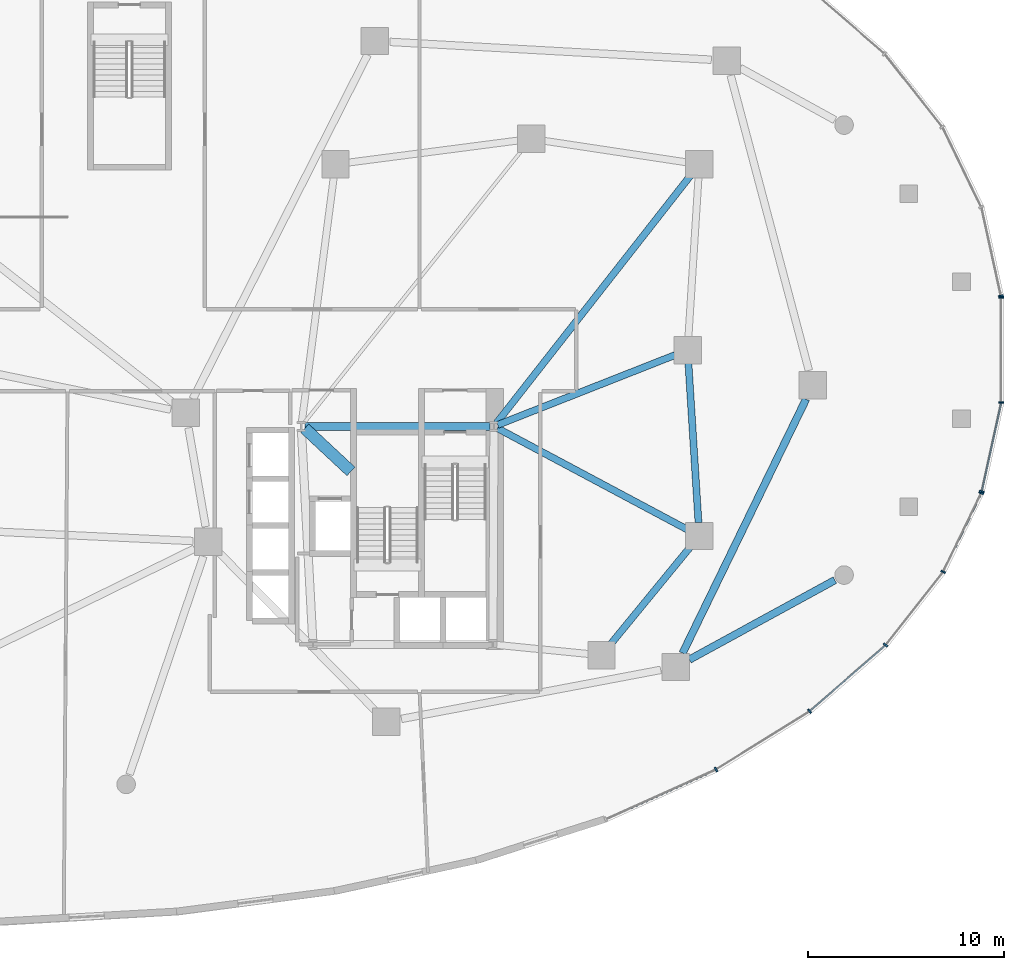
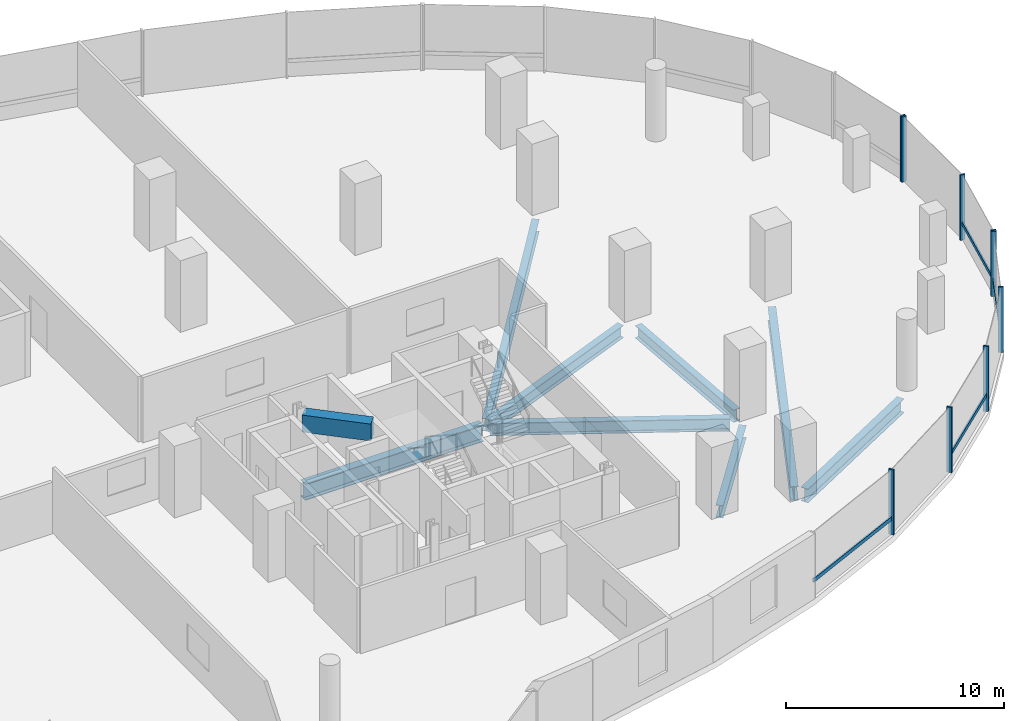
# One storey, part 8 of 18: 13 members, 9 beams, 3 elements without a shape of their own.
"""IFC4 building model written with IfcOpenShell, lengths in metres."""

from ifc_helpers import new_model, si_unit, direction, frame, origin, origin_2d, place, context, subcontext, project, spatial, rectangle, i_section, extrude, material, material_profile, profile_set, type_object, element, aggregate, save


model = new_model("IFC4")

# Units and contexts
model_context = context("Model", 3, precision=1e-05, world=origin(), true_north=direction((0.0, 1.0)))
body_context = subcontext(model_context, "Body", "Model", "MODEL_VIEW")
ifc_project = project(units=[si_unit("LENGTHUNIT", "METRE"), si_unit("AREAUNIT", "SQUARE_METRE"), si_unit("VOLUMEUNIT", "CUBIC_METRE"), si_unit("PLANEANGLEUNIT", "RADIAN"), si_unit("MASSUNIT", "GRAM", prefix="KILO"), si_unit("THERMODYNAMICTEMPERATUREUNIT", "KELVIN"), si_unit("POWERUNIT", "WATT")], contexts=[model_context])

# Site, building, storey
site_placement = place(None, origin())
site = spatial("IfcSite", under=ifc_project, at=site_placement, CompositionType="ELEMENT")
building_placement = place(site_placement, origin())
building = spatial("IfcBuilding", under=site, at=building_placement, Name="Cundina Bronze Exchange", CompositionType="ELEMENT")
storey_placement = place(building_placement, frame((0.0, 0.0, 12.0)))
storey = spatial("IfcBuildingStorey", under=building, at=storey_placement, Name="L02", CompositionType="ELEMENT", Elevation=12.0)

# Beams
ifc_material_1 = material(Name="Concrete C60/75", Category="concrete")
ifc_material_profile_1 = material_profile(ifc_material_1, rectangle(XDim=0.60009765625, YDim=0.949951171875, at=origin_2d()), Name="RC600X950", Category="concrete")
ifc_profile_set_1 = profile_set([ifc_material_profile_1], Name="Concrete C60/75")
beam_type_1 = type_object("IfcBeamType", Name="BM-COUP-RC950", PredefinedType="LINTEL", material=ifc_profile_set_1)
beam_1_placement = place(storey_placement, frame((21.6298828125, -4.0, 3.175048828125), z_axis=(0.731490439815, -0.681851696822, 0.0), x_axis=(0.681851696822, 0.731490439815, 0.0)))
element("IfcBeam", 1, at=beam_1_placement, inside=storey, type_object=beam_type_1, Name="L02 E Core Shear Coupling Lintel Beam", PredefinedType="LINTEL", context=body_context, shape_type="SweptSolid", body=[
    extrude(rectangle(XDim=0.60009765625, YDim=0.949951171875, at=origin_2d()), origin(), (0.0, 0.0, 1.0), 3.226318359375),
])
ifc_material_2 = material(Name="Steel ASTM A992 Grade 50", Category="steel")
ifc_material_profile_2 = material_profile(ifc_material_2, i_section(OverallWidth=0.35498046875, OverallDepth=0.695068359375, WebThickness=0.015380859375, FlangeThickness=0.02490234375, FilletRadius=0.01806640625, at=origin_2d()), Name="W27X146", Category="steel")
ifc_profile_set_2 = profile_set([ifc_material_profile_2], Name="Steel ASTM A992 Grade 50")
beam_type_2 = type_object("IfcBeamType", Name="BM-RING-W27", PredefinedType="USERDEFINED", material=ifc_profile_set_2)
beam_2_placement = place(storey_placement, frame((37.236083984375, -15.06787109375, -0.697509765625), z_axis=(0.633941925234, 0.773380653644, 0.0), x_axis=(-0.773380653644, 0.633941925234, 0.0)))
element("IfcBeam", 2, at=beam_2_placement, inside=storey, type_object=beam_type_2, Name="L02 E Inner Structural Ring Girder 02", ObjectType="GIRDER", PredefinedType="USERDEFINED", context=body_context, shape_type="SweptSolid", body=[
    extrude(i_section(OverallWidth=0.35498046875, OverallDepth=0.695068359375, WebThickness=0.015380859375, FlangeThickness=0.02490234375, FilletRadius=0.01806640625, at=origin_2d()), origin(), (0.0, 0.0, 1.0), 6.511474609375),
])
beam_3_placement = place(storey_placement, frame((41.756591796875, -8.8134765625, -0.697509765625), z_axis=(-0.063020359641, 0.998012241544, 0.0), x_axis=(-0.998012241544, -0.063020359641, 0.0)))
element("IfcBeam", 3, at=beam_3_placement, inside=storey, type_object=beam_type_2, Name="L02 E Inner Structural Ring Girder 03", ObjectType="GIRDER", PredefinedType="USERDEFINED", context=body_context, shape_type="SweptSolid", body=[
    extrude(i_section(OverallWidth=0.35498046875, OverallDepth=0.695068359375, WebThickness=0.015380859375, FlangeThickness=0.02490234375, FilletRadius=0.01806640625, at=origin_2d()), origin(), (0.0, 0.0, 1.0), 8.14306640625),
])
beam_4_placement = place(storey_placement, frame((31.48974609375, -3.8251953125, -0.697509765625), z_axis=(0.930410463214, 0.366519262715, 0.0), x_axis=(-0.366519262715, 0.930410463214, 0.0)))
element("IfcBeam", 4, at=beam_4_placement, inside=storey, type_object=beam_type_2, Name="L02 E Core-to-Waist Tie Beam 1", ObjectType="GIRDER", PredefinedType="USERDEFINED", context=body_context, shape_type="SweptSolid", body=[
    extrude(i_section(OverallWidth=0.35498046875, OverallDepth=0.695068359375, WebThickness=0.015380859375, FlangeThickness=0.02490234375, FilletRadius=0.01806640625, at=origin_2d()), origin(), (0.0, 0.0, 1.0), 9.74853515625),
])
beam_5_placement = place(storey_placement, frame((31.47998046875, -3.99609375, -0.697509765625), z_axis=(0.882354169055, -0.470585933014, 0.0), x_axis=(0.470585933014, 0.882354169055, 0.0)))
element("IfcBeam", 5, at=beam_5_placement, inside=storey, type_object=beam_type_2, Name="L02 E Core-to-Waist Tie Beam 2", ObjectType="GIRDER", PredefinedType="USERDEFINED", context=body_context, shape_type="SweptSolid", body=[
    extrude(i_section(OverallWidth=0.35498046875, OverallDepth=0.695068359375, WebThickness=0.015380859375, FlangeThickness=0.02490234375, FilletRadius=0.01806640625, at=origin_2d()), origin(), (0.0, 0.0, 1.0), 11.0078125),
])
beam_6_placement = place(storey_placement, frame((31.42578125, -3.739501953125, -0.697509765625), z_axis=(0.616784362929, 0.787132167839, 0.0), x_axis=(-0.787132167839, 0.616784362929, 0.0)))
element("IfcBeam", 6, at=beam_6_placement, inside=storey, type_object=beam_type_2, Name="L02 E Core-to-Waist Tie Beam 3", ObjectType="GIRDER", PredefinedType="USERDEFINED", context=body_context, shape_type="SweptSolid", body=[
    extrude(i_section(OverallWidth=0.35498046875, OverallDepth=0.695068359375, WebThickness=0.015380859375, FlangeThickness=0.02490234375, FilletRadius=0.01806640625, at=origin_2d()), origin(), (0.0, 0.0, 1.0), 16.132080078125),
])
ifc_material_profile_3 = material_profile(ifc_material_2, i_section(OverallWidth=0.381103515625, OverallDepth=0.77294921875, WebThickness=0.0166015625, FlangeThickness=0.027099609375, FilletRadius=0.01904296875, at=origin_2d()), Name="W30X173", Category="steel")
ifc_profile_set_3 = profile_set([ifc_material_profile_3], Name="Steel ASTM A992 Grade 50")
beam_type_3 = type_object("IfcBeamType", Name="BM-RING-W30", PredefinedType="USERDEFINED", material=ifc_profile_set_3)
beam_7_placement = place(storey_placement, frame((48.727783203125, -11.758056640625, -0.736572265625), z_axis=(-0.877507733759, -0.479562485182, 0.0), x_axis=(0.479562485182, -0.877507733759, 0.0)))
element("IfcBeam", 7, at=beam_7_placement, inside=storey, type_object=beam_type_3, Name="L02 Podium Colonnade Tie Beam 08", ObjectType="GIRDER", PredefinedType="USERDEFINED", context=body_context, shape_type="SweptSolid", body=[
    extrude(i_section(OverallWidth=0.381103515625, OverallDepth=0.77294921875, WebThickness=0.0166015625, FlangeThickness=0.027099609375, FilletRadius=0.01904296875, at=origin_2d()), origin(), (0.0, 0.0, 1.0), 8.474365234375),
])
beam_8_placement = place(storey_placement, frame((40.944580078125, -15.4912109375, -0.736572265625), z_axis=(0.437200307007, 0.899364159589, 0.0), x_axis=(-0.899364159589, 0.437200307007, 0.0)))
element("IfcBeam", 8, at=beam_8_placement, inside=storey, type_object=beam_type_3, Name="L02 E Podium Ring Girder 06", ObjectType="GIRDER", PredefinedType="USERDEFINED", context=body_context, shape_type="SweptSolid", body=[
    extrude(i_section(OverallWidth=0.381103515625, OverallDepth=0.77294921875, WebThickness=0.0166015625, FlangeThickness=0.027099609375, FilletRadius=0.01904296875, at=origin_2d()), origin(), (0.0, 0.0, 1.0), 14.43505859375),
])
ifc_material_profile_4 = material_profile(ifc_material_2, i_section(OverallWidth=0.41796875, OverallDepth=0.927001953125, WebThickness=0.019287109375, FlangeThickness=0.031982421875, FilletRadius=0.02392578125, at=origin_2d()), Name="W36X231", Category="steel")
ifc_profile_set_4 = profile_set([ifc_material_profile_4], Name="Steel ASTM A992 Grade 50")
beam_type_4 = type_object("IfcBeamType", Name="BM-WRN-W36B", PredefinedType="USERDEFINED", material=ifc_profile_set_4)
beam_9_placement = place(storey_placement, frame((31.095947265625, -3.89990234375, -0.8134765625), z_axis=(-1.0, 0.0, 0.0), x_axis=(0.0, -1.0, 0.0)))
element("IfcBeam", 9, at=beam_9_placement, inside=storey, type_object=beam_type_4, Name="L02 E Core Perimeter Tie Girder 1", ObjectType="GIRDER", PredefinedType="USERDEFINED", context=body_context, shape_type="SweptSolid", body=[
    extrude(i_section(OverallWidth=0.41796875, OverallDepth=0.927001953125, WebThickness=0.019287109375, FlangeThickness=0.031982421875, FilletRadius=0.02392578125, at=origin_2d()), origin(), (0.0, 0.0, 1.0), 9.44189453125),
])

# Curtain wall, member
ifc_material_3 = material(Name="Anodised Bronze Aluminium 6063-T6", Category="aluminium")
curtain_wall_type = type_object("IfcCurtainWallType", Name="CWS-POD-CONC", PredefinedType="NOTDEFINED", material=ifc_material_3)
curtain_wall_1_placement = place(storey_placement, origin())
curtain_wall_1 = element("IfcCurtainWall", 10, at=curtain_wall_1_placement, inside=storey, type_object=curtain_wall_type, Name="L02 CW-01 Curtain Wall Run CWR-L02-01", PredefinedType="NOTDEFINED")
ifc_material_profile_5 = material_profile(ifc_material_3, rectangle(XDim=0.0849609375, YDim=0.25, at=origin_2d()), Name="AL85X250", Category="aluminium")
ifc_profile_set_5 = profile_set([ifc_material_profile_5], Name="Anodised Bronze Aluminium 6063-T6")
member_type_1 = type_object("IfcMemberType", Name="CWM-MUL-250", PredefinedType="MULLION", material=ifc_profile_set_5)
member_1_placement = place(storey_placement, frame((57.219482421875, 2.76708984375, 0.0), z_axis=(0.0, 0.0, 1.0), x_axis=(-0.214564862428, 0.976709741843, 0.0)))
member_1 = element("IfcMember", 11, at=member_1_placement, type_object=member_type_1, Name="CW-01 Mullion 1", PredefinedType="MULLION", context=body_context, shape_type="SweptSolid", body=[
    extrude(rectangle(XDim=0.0849609375, YDim=0.25, at=origin_2d()), origin(), (0.0, 0.0, 1.0), 3.64990234375),
])
aggregate(curtain_wall_1, [member_1])

# Curtain wall, members
curtain_wall_2_placement = place(storey_placement, origin())
curtain_wall_2 = element("IfcCurtainWall", 12, at=curtain_wall_2_placement, inside=storey, type_object=curtain_wall_type, Name="L02 CW-01 Curtain Wall Run CWR-L02-06", PredefinedType="NOTDEFINED")
member_2_placement = place(storey_placement, frame((42.654052734375, -21.4404296875, 0.0), z_axis=(0.0, 0.0, 1.0), x_axis=(0.849340400263, 0.527845511945, 0.0)))
member_2 = element("IfcMember", 13, at=member_2_placement, type_object=member_type_1, Name="CW-01 Mullion 2", PredefinedType="MULLION", context=body_context, shape_type="SweptSolid", body=[
    extrude(rectangle(XDim=0.0849609375, YDim=0.25, at=origin_2d()), origin(), (0.0, 0.0, 1.0), 3.64990234375),
])
member_3_placement = place(storey_placement, frame((47.43701171875, -18.45849609375, 0.0), z_axis=(0.0, 0.0, 1.0), x_axis=(0.755510544084, 0.6551364879, 0.0)))
member_3 = element("IfcMember", 14, at=member_3_placement, type_object=member_type_1, Name="CW-01 Mullion 3", PredefinedType="MULLION", context=body_context, shape_type="SweptSolid", body=[
    extrude(rectangle(XDim=0.0849609375, YDim=0.25, at=origin_2d()), origin(), (0.0, 0.0, 1.0), 3.64990234375),
])
member_4_placement = place(storey_placement, frame((51.320068359375, -15.08056640625, 0.0), z_axis=(0.0, 0.0, 1.0), x_axis=(0.61950505541, 0.784992666412, 0.0)))
member_4 = element("IfcMember", 15, at=member_4_placement, type_object=member_type_1, Name="CW-01 Mullion 4", PredefinedType="MULLION", context=body_context, shape_type="SweptSolid", body=[
    extrude(rectangle(XDim=0.0849609375, YDim=0.25, at=origin_2d()), origin(), (0.0, 0.0, 1.0), 3.64990234375),
])
member_5_placement = place(storey_placement, frame((54.263427734375, -11.335205078125, 0.0), z_axis=(0.0, 0.0, 1.0), x_axis=(0.435702445497, 0.900090761528, 0.0)))
member_5 = element("IfcMember", 16, at=member_5_placement, type_object=member_type_1, Name="CW-01 Mullion 5", PredefinedType="MULLION", context=body_context, shape_type="SweptSolid", body=[
    extrude(rectangle(XDim=0.0849609375, YDim=0.25, at=origin_2d()), origin(), (0.0, 0.0, 1.0), 3.64990234375),
])
member_6_placement = place(storey_placement, frame((56.211669921875, -7.311279296875, 0.0), z_axis=(0.0, 0.0, 1.0), x_axis=(0.435702445497, 0.900090761528, 0.0)))
member_6 = element("IfcMember", 17, at=member_6_placement, type_object=member_type_1, Name="CW-01 End Mullion", PredefinedType="MULLION", context=body_context, shape_type="SweptSolid", body=[
    extrude(rectangle(XDim=0.0849609375, YDim=0.25, at=origin_2d()), origin(), (0.0, 0.0, 1.0), 3.64990234375),
])

curtain_wall_3_placement = place(storey_placement, origin())
curtain_wall_3 = element("IfcCurtainWall", 18, at=curtain_wall_3_placement, inside=storey, type_object=curtain_wall_type, Name="L02 CW-01 Curtain Wall Run CWR-L02-07", PredefinedType="NOTDEFINED")
member_7_placement = place(storey_placement, frame((56.239013671875, -7.231689453125, 0.0), z_axis=(0.0, 0.0, 1.0), x_axis=(0.214564862428, 0.976709741843, 0.0)))
member_7 = element("IfcMember", 19, at=member_7_placement, type_object=member_type_1, Name="CW-01 Mullion 1", PredefinedType="MULLION", context=body_context, shape_type="SweptSolid", body=[
    extrude(rectangle(XDim=0.0849609375, YDim=0.25, at=origin_2d()), origin(), (0.0, 0.0, 1.0), 3.64990234375),
])
member_8_placement = place(storey_placement, frame((57.22900390625, -2.680419921875, 0.0), z_axis=(0.0, 0.0, 1.0), x_axis=(0.0, 1.0, 0.0)))
member_8 = element("IfcMember", 20, at=member_8_placement, type_object=member_type_1, Name="CW-01 Mullion 2", PredefinedType="MULLION", context=body_context, shape_type="SweptSolid", body=[
    extrude(rectangle(XDim=0.0849609375, YDim=0.25, at=origin_2d()), origin(), (0.0, 0.0, 1.0), 3.64990234375),
])
member_9_placement = place(storey_placement, frame((57.22900390625, 2.680419921875, 0.0), z_axis=(0.0, 0.0, 1.0), x_axis=(0.0, 1.0, 0.0)))
member_9 = element("IfcMember", 21, at=member_9_placement, type_object=member_type_1, Name="CW-01 End Mullion", PredefinedType="MULLION", context=body_context, shape_type="SweptSolid", body=[
    extrude(rectangle(XDim=0.0849609375, YDim=0.25, at=origin_2d()), origin(), (0.0, 0.0, 1.0), 3.64990234375),
])

# Member
ifc_material_profile_6 = material_profile(ifc_material_3, rectangle(XDim=0.080078125, YDim=0.2099609375, at=origin_2d()), Name="AL80X210", Category="aluminium")
ifc_profile_set_6 = profile_set([ifc_material_profile_6], Name="Anodised Bronze Aluminium 6063-T6")
member_type_2 = type_object("IfcMemberType", Name="CWM-TRN-210", PredefinedType="USERDEFINED", material=ifc_profile_set_6)
member_10_placement = place(storey_placement, frame((37.056396484375, -23.97119140625, 0.919921875), z_axis=(0.911641535198, 0.410986266561, 0.0), x_axis=(-0.410986266561, 0.911641535198, 0.0)))
member_10 = element("IfcMember", 22, at=member_10_placement, type_object=member_type_2, Name="CW-01 Spandrel Transom 1", ObjectType="TRANSOM", PredefinedType="USERDEFINED", context=body_context, shape_type="SweptSolid", body=[
    extrude(rectangle(XDim=0.080078125, YDim=0.2099609375, at=origin_2d()), origin(), (0.0, 0.0, 1.0), 6.090576171875),
])

member_11_placement = place(storey_placement, frame((47.472412109375, -18.427734375, 0.919921875), z_axis=(0.755563201238, 0.655075758164, 0.0), x_axis=(-0.655075758164, 0.755563201238, 0.0)))
member_11 = element("IfcMember", 23, at=member_11_placement, type_object=member_type_2, Name="CW-01 Spandrel Transom 3", ObjectType="TRANSOM", PredefinedType="USERDEFINED", context=body_context, shape_type="SweptSolid", body=[
    extrude(rectangle(XDim=0.080078125, YDim=0.2099609375, at=origin_2d()), origin(), (0.0, 0.0, 1.0), 5.055908203125),
])

member_12_placement = place(storey_placement, frame((54.28369140625, -11.293212890625, 0.919921875), z_axis=(0.435776682523, 0.900054822202, 0.0), x_axis=(-0.900054822202, 0.435776682523, 0.0)))
member_12 = element("IfcMember", 24, at=member_12_placement, type_object=member_type_2, Name="CW-01 Spandrel Transom 5", ObjectType="TRANSOM", PredefinedType="USERDEFINED", context=body_context, shape_type="SweptSolid", body=[
    extrude(rectangle(XDim=0.080078125, YDim=0.2099609375, at=origin_2d()), origin(), (0.0, 0.0, 1.0), 4.377197265625),
])

aggregate(curtain_wall_2, [member_10, member_2, member_3, member_11, member_4, member_5, member_6, member_12])

member_13_placement = place(storey_placement, frame((56.249267578125, -7.18603515625, 0.919921875), z_axis=(0.214447065297, 0.976735612224, 0.0), x_axis=(-0.976735612224, 0.214447065297, 0.0)))
member_13 = element("IfcMember", 25, at=member_13_placement, type_object=member_type_2, Name="CW-01 Spandrel Transom 1", ObjectType="TRANSOM", PredefinedType="USERDEFINED", context=body_context, shape_type="SweptSolid", body=[
    extrude(rectangle(XDim=0.080078125, YDim=0.2099609375, at=origin_2d()), origin(), (0.0, 0.0, 1.0), 4.571044921875),
])

aggregate(curtain_wall_3, [member_7, member_13, member_8, member_9])

save(model, "model.ifc")
